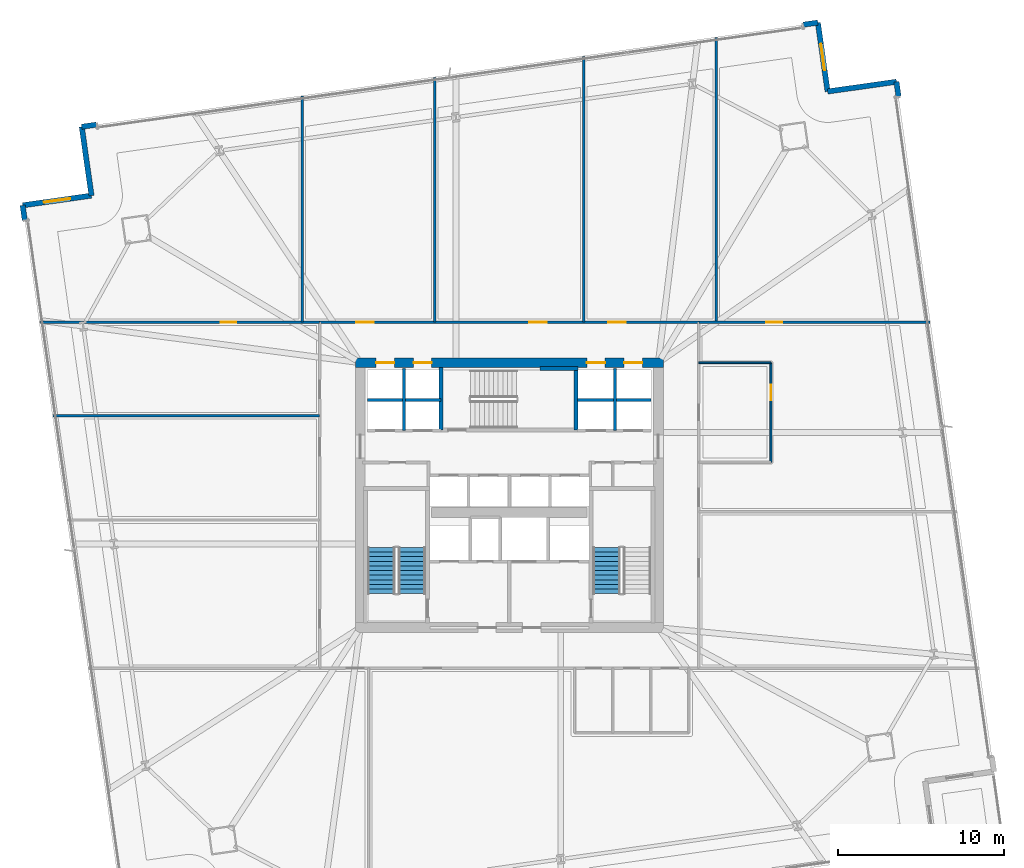
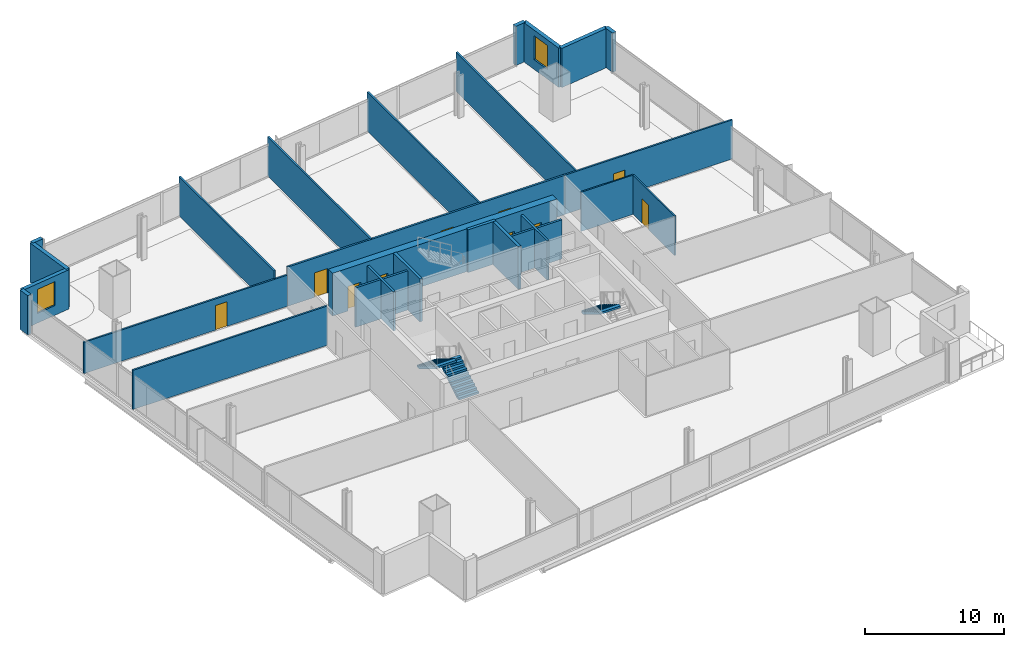
# One storey, part 27 of 33: 26 walls, 10 doors, 3 stair flights, 2 windows, 12 openings, 2 elements without a shape of their own.
"""IFC4 building model written with IfcOpenShell, lengths in metres."""

import ifcopenshell
import ifcopenshell.guid

model = None  # the IFC model being written
_history = None  # IfcOwnerHistory: only IFC2X3 demands one
_inside = {}  # id of a spatial element -> (the spatial element, [elements in it])
_under = {}  # id of a project, library or spatial element -> (it, [spatial elements below it])
_declared = {}  # id of a project -> (the project, [libraries it declares])
_typed = {}  # id of a type object -> (the type object, [elements of that type])
_made_of = {}  # id of a material, layer set ... -> (it, [elements and type objects made of it])


def new_model(schema):
    """Start an empty IFC model of exactly this schema.

    Asked for "IFC4X3", IfcOpenShell would pick the latest addendum, in which some entities
    have other attributes; the version numbers below select the first issue.
    IFC2X3 requires an IfcOwnerHistory on every rooted entity: one is made here for all.
    """
    global model, _history
    if schema == "IFC4X3":
        model = ifcopenshell.file(schema_version=(4, 3, 0, 0))
    else:
        model = ifcopenshell.file(schema=schema)
    _inside.clear()
    _under.clear()
    _declared.clear()
    _typed.clear()
    _made_of.clear()
    _history = None
    if model.schema == "IFC2X3":
        org = make("IfcOrganization", Name="unknown")
        user = make(
            "IfcPersonAndOrganization",
            ThePerson=make("IfcPerson", FamilyName="unknown"),
            TheOrganization=org,
        )
        app = make(
            "IfcApplication",
            ApplicationDeveloper=org,
            Version="unknown",
            ApplicationFullName="unknown",
            ApplicationIdentifier="unknown",
        )
        _history = make(
            "IfcOwnerHistory",
            OwningUser=user,
            OwningApplication=app,
            ChangeAction="ADDED",
            CreationDate=0,
        )
    return model


def make(cls, **values):
    """One entity of the class cls with the attributes given. An attribute that is None is left unset."""
    return model.create_entity(
        cls, **{name: value for name, value in values.items() if value is not None}
    )


def rooted(cls, **values):
    """An entity with a GlobalId (a new one), such as an element, a storey or a relation."""
    return make(cls, GlobalId=ifcopenshell.guid.new(), OwnerHistory=_history, **values)


def si_unit(unit_type, name, prefix=None):
    """IfcSIUnit, for example si_unit("LENGTHUNIT", "METRE", prefix="MILLI")."""
    return make("IfcSIUnit", UnitType=unit_type, Prefix=prefix, Name=name)


def assignment(units):
    """IfcUnitAssignment: the units of a project."""
    return None if units is None else make("IfcUnitAssignment", Units=units)


def point(xyz):
    """IfcCartesianPoint."""
    return None if xyz is None else make("IfcCartesianPoint", Coordinates=xyz)


def direction(xyz):
    """IfcDirection."""
    return None if xyz is None else make("IfcDirection", DirectionRatios=xyz)


def frame(location, z_axis=None, x_axis=None):
    """IfcAxis2Placement3D, a coordinate frame: its origin and axes. An axis left out is left unset."""
    return make(
        "IfcAxis2Placement3D",
        Location=point(location),
        Axis=direction(z_axis),
        RefDirection=direction(x_axis),
    )


def frame_2d(location, x_axis=None):
    """IfcAxis2Placement2D, a coordinate frame in the plane: its origin and x axis."""
    return make(
        "IfcAxis2Placement2D", Location=point(location), RefDirection=direction(x_axis)
    )


def origin():
    """The frame at (0, 0, 0) with its axes left unset."""
    return frame((0.0, 0.0, 0.0))


def place(relative_to, where):
    """IfcLocalPlacement: puts the frame where relative to a parent placement (None: the world)."""
    return make(
        "IfcLocalPlacement", PlacementRelTo=relative_to, RelativePlacement=where
    )


def context(
    kind, dimensions, precision=None, world=None, true_north=None, identifier=None
):
    """IfcGeometricRepresentationContext, for example the 3D "Model" context."""
    return make(
        "IfcGeometricRepresentationContext",
        ContextIdentifier=identifier,
        ContextType=kind,
        CoordinateSpaceDimension=dimensions,
        Precision=precision,
        WorldCoordinateSystem=world,
        TrueNorth=true_north,
    )


def subcontext(parent, identifier, kind, view, scale=None):
    """IfcGeometricRepresentationSubContext, for example "Body" below "Model"."""
    return make(
        "IfcGeometricRepresentationSubContext",
        ContextIdentifier=identifier,
        ContextType=kind,
        ParentContext=parent,
        TargetScale=scale,
        TargetView=view,
    )


def project(units=None, contexts=None):
    """IfcProject with its units and contexts."""
    return rooted(
        "IfcProject",
        Name="project",
        RepresentationContexts=contexts,
        UnitsInContext=assignment(units),
    )


def spatial(cls, under=None, at=None, **own):
    """A site, building, storey or space (cls), placed at a placement, below another one or the project."""
    s = rooted(cls, ObjectPlacement=at, **own)
    if under is not None:
        _under.setdefault(under.id(), (under, []))[1].append(s)
    return s


def polyline(points):
    """IfcPolyline through the points."""
    return make("IfcPolyline", Points=[point(p) for p in points])


def profile(cls, at=None, kind="AREA", **sizes):
    """A parametric profile (cls). Its sizes go by their IFC names, for example OverallWidth=200.0."""
    return make(cls, ProfileType=kind, Position=at, **sizes)


def rectangle(**sizes):
    """IfcRectangleProfileDef."""
    return profile("IfcRectangleProfileDef", **sizes)


def outline(outer, holes=None, kind="AREA"):
    """IfcArbitraryClosedProfileDef: a profile drawn as a closed curve; with holes, ...WithVoids."""
    if holes is None:
        return make("IfcArbitraryClosedProfileDef", ProfileType=kind, OuterCurve=outer)
    return make(
        "IfcArbitraryProfileDefWithVoids",
        ProfileType=kind,
        OuterCurve=outer,
        InnerCurves=holes,
    )


def extrude(swept, where, along, depth):
    """IfcExtrudedAreaSolid: the profile swept, set in the frame where, extruded along a direction by depth."""
    return make(
        "IfcExtrudedAreaSolid",
        SweptArea=swept,
        Position=where,
        ExtrudedDirection=direction(along),
        Depth=depth,
    )


def shape(context_of_items, identifier, shape_type, items):
    """IfcShapeRepresentation: the items that make up one representation, for example the "Body"."""
    return make(
        "IfcShapeRepresentation",
        ContextOfItems=context_of_items,
        RepresentationIdentifier=identifier,
        RepresentationType=shape_type,
        Items=items,
    )


def material(Name=None, Category=None):
    """IfcMaterial."""
    return make("IfcMaterial", Name=Name, Category=Category)


def layer(
    of_material, thickness, ventilated=None, Name=None, Category=None, Priority=None
):
    """IfcMaterialLayer: one layer of a wall or slab, of a material (None: an air gap)."""
    return make(
        "IfcMaterialLayer",
        Material=of_material,
        LayerThickness=thickness,
        IsVentilated=ventilated,
        Name=Name,
        Category=Category,
        Priority=Priority,
    )


def layer_set(layers, Name=None):
    """IfcMaterialLayerSet."""
    return make("IfcMaterialLayerSet", MaterialLayers=layers, LayerSetName=Name)


def made_of(thing, what):
    """Note that an element or type object is made of a material, layer set ...; save() writes the relation."""
    if what is not None:
        _made_of.setdefault(what.id(), (what, []))[1].append(thing)
    return thing


def type_object(cls, material=None, **own):
    """A type object (cls), such as IfcWallType, which elements share."""
    return made_of(rooted(cls, **own), material)


def element(
    cls,
    number,
    at=None,
    inside=None,
    cuts=None,
    type_object=None,
    material=None,
    context=None,
    identifier="Body",
    shape_type=None,
    held_by="IfcProductDefinitionShape",
    body=None,
    shapes=None,
    **own,
):
    """One element of the class cls, such as IfcWall. Its Tag is "e" and its number.

    at: its placement. inside: the storey or other place that contains it. cuts: it is an
    opening in that element (IfcRelVoidsElement). A single representation is given by context,
    identifier, shape_type and body (its items); several are given by shapes. held_by: the class
    of the entity that holds the representations. save() writes the other relations.
    """
    e = rooted(cls, Tag="e%d" % number, ObjectPlacement=at, **own)
    if body is not None:
        shapes = [shape(context, identifier, shape_type, body)]
    if shapes is not None:
        e.Representation = make(held_by, Representations=shapes)
    if inside is not None:
        _inside.setdefault(inside.id(), (inside, []))[1].append(e)
    if cuts is not None:
        rooted(
            "IfcRelVoidsElement", RelatingBuildingElement=cuts, RelatedOpeningElement=e
        )
    if type_object is not None:
        _typed.setdefault(type_object.id(), (type_object, []))[1].append(e)
    return made_of(e, material)


def fill(opening, filler):
    """IfcRelFillsElement: the door or window that sits in an opening."""
    return rooted(
        "IfcRelFillsElement",
        RelatingOpeningElement=opening,
        RelatedBuildingElement=filler,
    )


def aggregate(whole, parts):
    """IfcRelAggregates: a whole, such as a stair, and the parts it consists of."""
    return rooted("IfcRelAggregates", RelatingObject=whole, RelatedObjects=parts)


def save(model, path):
    """Write the relations noted so far, then the file.

    IfcRelAggregates (storeys below a building ...), IfcRelContainedInSpatialStructure (elements
    in a storey), IfcRelDefinesByType, IfcRelAssociatesMaterial and IfcRelDeclares: one each for
    every whole, place, type object, material and project.
    """
    for whole, parts in _under.values():
        aggregate(whole, parts)
    for where, things in _inside.values():
        rooted(
            "IfcRelContainedInSpatialStructure",
            RelatedElements=things,
            RelatingStructure=where,
        )
    for kind, things in _typed.values():
        rooted("IfcRelDefinesByType", RelatedObjects=things, RelatingType=kind)
    for what, things in _made_of.values():
        rooted("IfcRelAssociatesMaterial", RelatedObjects=things, RelatingMaterial=what)
    for by, libraries in _declared.values():
        rooted("IfcRelDeclares", RelatingContext=by, RelatedDefinitions=libraries)
    model.write(path)


model = new_model("IFC4")

# Units and contexts
model_context = context("Model", 3, precision=1e-05, world=origin(), true_north=direction((0.0, 1.0)))
body_context = subcontext(model_context, "Body", "Model", "MODEL_VIEW")
ifc_project = project(units=[si_unit("LENGTHUNIT", "METRE"), si_unit("AREAUNIT", "SQUARE_METRE"), si_unit("VOLUMEUNIT", "CUBIC_METRE"), si_unit("PLANEANGLEUNIT", "RADIAN"), si_unit("MASSUNIT", "GRAM", prefix="KILO")], contexts=[model_context])

# Site, building, storey
site_placement = place(None, origin())
site = spatial("IfcSite", under=ifc_project, at=site_placement, CompositionType="ELEMENT")
building_placement = place(site_placement, origin())
building = spatial("IfcBuilding", under=site, at=building_placement, Name="Haldenkirk Collegiate Tower", CompositionType="ELEMENT")
storey_placement = place(building_placement, frame((0.0, 0.0, 55.199951171875)))
storey = spatial("IfcBuildingStorey", under=building, at=storey_placement, Name="L12", CompositionType="ELEMENT", Elevation=55.199951171875)

# Wall, openings, doors
ifc_material_1 = material(Name="Concrete f'c 70 MPa", Category="concrete")
ifc_layer_1 = layer(ifc_material_1, 0.60009765625)
ifc_layer_set_1 = layer_set([ifc_layer_1], Name="Concrete f'c 70 MPa")
wall_type_1 = type_object("IfcWallType", Name="WL-CORE-600", PredefinedType="SHEAR", material=ifc_layer_set_1)
wall_1_placement = place(storey_placement, frame((26.699951171875, 34.0, 0.0), z_axis=(0.0, 0.0, 1.0), x_axis=(1.0, 0.0, 0.0)))
wall_1 = element("IfcWall", 1, at=wall_1_placement, inside=storey, type_object=wall_type_1, Name="L12 central core shear wall N", PredefinedType="SHEAR", context=body_context, shape_type="SweptSolid", body=[
    extrude(rectangle(XDim=18.60009765625, YDim=0.60009765625, at=frame_2d((9.300048828125, 0.0))), origin(), (0.0, 0.0, 1.0), 3.75),
])
opening_1_placement = place(wall_1_placement, frame((1.264892578125, 0.0, 0.0)))
opening_1 = element("IfcOpeningElement", 2, at=opening_1_placement, cuts=wall_1, Name="Opening LD-11", PredefinedType="OPENING", context=body_context, shape_type="SweptSolid", body=[
    extrude(rectangle(XDim=1.10009765625, YDim=2.14990234375, at=frame_2d((0.550048828125, 1.074951171875))), frame((0.0, 0.31005859375, 0.0), z_axis=(0.0, -1.0, 0.0), x_axis=(1.0, 0.0, 0.0)), (0.0, 0.0, 1.0), 0.6201171875),
])
opening_2_placement = place(wall_1_placement, frame((3.514892578125, 0.0, 0.0)))
opening_2 = element("IfcOpeningElement", 3, at=opening_2_placement, cuts=wall_1, Name="Opening LD-11", PredefinedType="OPENING", context=body_context, shape_type="SweptSolid", body=[
    extrude(rectangle(XDim=1.10009765625, YDim=2.14990234375, at=frame_2d((0.550048828125, 1.074951171875))), frame((0.0, 0.31005859375, 0.0), z_axis=(0.0, -1.0, 0.0), x_axis=(1.0, 0.0, 0.0)), (0.0, 0.0, 1.0), 0.6201171875),
])
opening_3_placement = place(wall_1_placement, frame((13.985107421875, 0.0, 0.0)))
opening_3 = element("IfcOpeningElement", 4, at=opening_3_placement, cuts=wall_1, Name="Opening LD-11", PredefinedType="OPENING", context=body_context, shape_type="SweptSolid", body=[
    extrude(rectangle(XDim=1.10009765625, YDim=2.14990234375, at=frame_2d((0.550048828125, 1.074951171875))), frame((0.0, 0.31005859375, 0.0), z_axis=(0.0, -1.0, 0.0), x_axis=(1.0, 0.0, 0.0)), (0.0, 0.0, 1.0), 0.6201171875),
])
opening_4_placement = place(wall_1_placement, frame((16.235107421875, 0.0, 0.0)))
opening_4 = element("IfcOpeningElement", 5, at=opening_4_placement, cuts=wall_1, Name="Opening LD-11", PredefinedType="OPENING", context=body_context, shape_type="SweptSolid", body=[
    extrude(rectangle(XDim=1.10009765625, YDim=2.14990234375, at=frame_2d((0.550048828125, 1.074951171875))), frame((0.0, 0.31005859375, 0.0), z_axis=(0.0, -1.0, 0.0), x_axis=(1.0, 0.0, 0.0)), (0.0, 0.0, 1.0), 0.6201171875),
])
ifc_material_2 = material(Name="Brushed architectural stainless steel", Category="steel")
ifc_layer_2 = layer(ifc_material_2, 0.06005859375)
ifc_layer_set_2 = layer_set([ifc_layer_2], Name="Brushed architectural stainless steel")
door_type_1 = type_object("IfcDoorType", Name="LD-PASS-1100", OperationType="NOTDEFINED", PredefinedType="DOOR", material=ifc_layer_set_2)
door_1_placement = place(opening_1_placement, origin())
door_1 = element("IfcDoor", 6, at=door_1_placement, inside=storey, type_object=door_type_1, Name="L12 Elevator PL3 sliding landing door", OperationType="SLIDING_TO_LEFT", OverallHeight=2.14990234375, OverallWidth=1.10009765625, PredefinedType="DOOR", context=body_context, shape_type="SweptSolid", body=[
    extrude(rectangle(XDim=1.10009765625, YDim=2.14990234375, at=frame_2d((0.550048828125, 1.074951171875))), frame((0.0, 0.02490234375, 0.0), z_axis=(0.0, -1.0, 0.0), x_axis=(1.0, 0.0, 0.0)), (0.0, 0.0, 1.0), 0.050048828125),
])
fill(opening_1, door_1)
door_2_placement = place(opening_2_placement, origin())
door_2 = element("IfcDoor", 7, at=door_2_placement, inside=storey, type_object=door_type_1, Name="L12 Elevator PL4 sliding landing door", OperationType="SLIDING_TO_LEFT", OverallHeight=2.14990234375, OverallWidth=1.10009765625, PredefinedType="DOOR", context=body_context, shape_type="SweptSolid", body=[
    extrude(rectangle(XDim=1.10009765625, YDim=2.14990234375, at=frame_2d((0.550048828125, 1.074951171875))), frame((0.0, 0.02490234375, 0.0), z_axis=(0.0, -1.0, 0.0), x_axis=(1.0, 0.0, 0.0)), (0.0, 0.0, 1.0), 0.050048828125),
])
fill(opening_2, door_2)
door_3_placement = place(opening_3_placement, origin())
door_3 = element("IfcDoor", 8, at=door_3_placement, inside=storey, type_object=door_type_1, Name="L12 Elevator PM3 sliding landing door", OperationType="SLIDING_TO_LEFT", OverallHeight=2.14990234375, OverallWidth=1.10009765625, PredefinedType="DOOR", context=body_context, shape_type="SweptSolid", body=[
    extrude(rectangle(XDim=1.10009765625, YDim=2.14990234375, at=frame_2d((0.550048828125, 1.074951171875))), frame((0.0, 0.02490234375, 0.0), z_axis=(0.0, -1.0, 0.0), x_axis=(1.0, 0.0, 0.0)), (0.0, 0.0, 1.0), 0.050048828125),
])
fill(opening_3, door_3)
door_4_placement = place(opening_4_placement, origin())
door_4 = element("IfcDoor", 9, at=door_4_placement, inside=storey, type_object=door_type_1, Name="L12 Elevator PM4 sliding landing door", OperationType="SLIDING_TO_LEFT", OverallHeight=2.14990234375, OverallWidth=1.10009765625, PredefinedType="DOOR", context=body_context, shape_type="SweptSolid", body=[
    extrude(rectangle(XDim=1.10009765625, YDim=2.14990234375, at=frame_2d((0.550048828125, 1.074951171875))), frame((0.0, 0.02490234375, 0.0), z_axis=(0.0, -1.0, 0.0), x_axis=(1.0, 0.0, 0.0)), (0.0, 0.0, 1.0), 0.050048828125),
])
fill(opening_4, door_4)

# Walls
ifc_material_3 = material(Name="Precast concrete f'c 40 MPa", Category="concrete")
ifc_layer_3 = layer(ifc_material_3, 0.320068359375)
ifc_layer_set_3 = layer_set([ifc_layer_3], Name="Precast concrete f'c 40 MPa")
wall_type_2 = type_object("IfcWallType", Name="WL-EXT-TWR-320", PredefinedType="STANDARD", material=ifc_layer_set_3)
wall_2_placement = place(storey_placement, frame((59.383544921875, 50.970703125, 0.0), z_axis=(0.0, 0.0, 1.0), x_axis=(0.139978021702, -0.990154610877, 0.0)))
element("IfcWall", 10, at=wall_2_placement, inside=storey, type_object=wall_type_2, Name="L12 precast corner pier EL", PredefinedType="STANDARD", context=body_context, shape_type="SweptSolid", body=[
    extrude(rectangle(XDim=0.89990234375, YDim=0.320068359375, at=frame_2d((0.449951171875, 0.0))), origin(), (0.0, 0.0, 1.0), 3.43994140625),
])
wall_3_placement = place(storey_placement, frame((55.22509765625, 50.382568359375, 0.0), z_axis=(0.0, 0.0, 1.0), x_axis=(0.990146172451, 0.140037699139, 0.0)))
element("IfcWall", 11, at=wall_3_placement, inside=storey, type_object=wall_type_2, Name="L12 bronze precast notch wall 05", PredefinedType="STANDARD", context=body_context, shape_type="SweptSolid", body=[
    extrude(rectangle(XDim=4.199951171875, YDim=0.320068359375, at=frame_2d((2.10009765625, 0.0))), origin(), (0.0, 0.0, 1.0), 3.43994140625),
])

# Wall, opening, window
wall_4_placement = place(storey_placement, frame((54.63671875, 54.541015625, 0.0), z_axis=(0.0, 0.0, 1.0), x_axis=(0.140094689511, -0.990138110554, 0.0)))
wall_4 = element("IfcWall", 12, at=wall_4_placement, inside=storey, type_object=wall_type_2, Name="L12 bronze precast notch wall 06", PredefinedType="STANDARD", context=body_context, shape_type="SweptSolid", body=[
    extrude(rectangle(XDim=4.199951171875, YDim=0.320068359375, at=frame_2d((2.10009765625, 0.0))), origin(), (0.0, 0.0, 1.0), 3.43994140625),
])
opening_5_placement = place(wall_4_placement, frame((1.300048828125, 0.0, 0.85009765625)))
opening_5 = element("IfcOpeningElement", 13, at=opening_5_placement, cuts=wall_4, Name="Opening W-03", PredefinedType="OPENING", context=body_context, shape_type="SweptSolid", body=[
    extrude(rectangle(XDim=1.60009765625, YDim=2.10009765625, at=frame_2d((0.800048828125, 1.050048828125))), frame((0.0, 0.169921875, 0.0), z_axis=(0.0, -1.0, 0.0), x_axis=(1.0, 0.0, 0.0)), (0.0, 0.0, 1.0), 0.340087890625),
])
ifc_material_4 = material(Name="Low-E argon triple insulating glass", Category="glass")
ifc_layer_4 = layer(ifc_material_4, 0.090087890625)
ifc_layer_set_4 = layer_set([ifc_layer_4], Name="Low-E argon triple insulating glass")
window_type = type_object("IfcWindowType", Name="WN-Z1-1600X2100", PartitioningType="SINGLE_PANEL", PredefinedType="WINDOW", material=ifc_layer_set_4)
window_1_placement = place(opening_5_placement, origin())
window_1 = element("IfcWindow", 14, at=window_1_placement, inside=storey, type_object=window_type, Name="L12 precast-frame academic window 5", OverallHeight=2.10009765625, OverallWidth=1.60009765625, PartitioningType="SINGLE_PANEL", PredefinedType="WINDOW", context=body_context, shape_type="SweptSolid", body=[
    extrude(rectangle(XDim=1.60009765625, YDim=2.10009765625, at=frame_2d((0.800048828125, 1.050048828125))), frame((0.0, 0.030029296875, 0.0), z_axis=(0.0, -1.0, 0.0), x_axis=(1.0, 0.0, 0.0)), (0.0, 0.0, 1.0), 0.06005859375),
])
fill(opening_5, window_1)

# Walls
for number, where, z_axis, x_axis, name in (
    (15, (10.17919921875, 48.25341796875, 0.0), (0.0, 0.0, 1.0), (0.990154610877, 0.139978021702, 0.0), "L12 precast corner pier NL"),
    (16, (53.74560546875, 54.4150390625, 0.0), (0.0, 0.0, 1.0), (0.990154610877, 0.139978021702, 0.0), "L12 precast corner pier NR"),
):
    element("IfcWall", number, at=place(storey_placement, frame(where, z_axis=z_axis, x_axis=x_axis)), inside=storey, type_object=wall_type_2, Name=name, PredefinedType="STANDARD", context=body_context, shape_type="SweptSolid", body=[
        extrude(rectangle(XDim=0.89990234375, YDim=0.320068359375, at=frame_2d((0.449951171875, 0.0))), origin(), (0.0, 0.0, 1.0), 3.43994140625),
    ])
wall_5_placement = place(storey_placement, frame((10.767333984375, 44.0947265625, 0.0), z_axis=(0.0, 0.0, 1.0), x_axis=(-0.140029639275, 0.990147312335, 0.0)))
element("IfcWall", 17, at=wall_5_placement, inside=storey, type_object=wall_type_2, Name="L12 bronze precast notch wall 08", PredefinedType="STANDARD", context=body_context, shape_type="SweptSolid", body=[
    extrude(rectangle(XDim=4.2001953125, YDim=0.320068359375, at=frame_2d((2.10009765625, 0.0))), origin(), (0.0, 0.0, 1.0), 3.43994140625),
])

# Wall, opening, window
wall_6_placement = place(storey_placement, frame((6.60888671875, 43.506591796875, 0.0), z_axis=(0.0, 0.0, 1.0), x_axis=(0.990146172451, 0.140037699139, 0.0)))
wall_6 = element("IfcWall", 18, at=wall_6_placement, inside=storey, type_object=wall_type_2, Name="L12 bronze precast notch wall 09", PredefinedType="STANDARD", context=body_context, shape_type="SweptSolid", body=[
    extrude(rectangle(XDim=4.199951171875, YDim=0.320068359375, at=frame_2d((2.10009765625, 0.0))), origin(), (0.0, 0.0, 1.0), 3.43994140625),
])
opening_6_placement = place(wall_6_placement, frame((1.300048828125, 0.0, 0.85009765625)))
opening_6 = element("IfcOpeningElement", 19, at=opening_6_placement, cuts=wall_6, Name="Opening W-03", PredefinedType="OPENING", context=body_context, shape_type="SweptSolid", body=[
    extrude(rectangle(XDim=1.60009765625, YDim=2.10009765625, at=frame_2d((0.800048828125, 1.050048828125))), frame((0.0, 0.169921875, 0.0), z_axis=(0.0, -1.0, 0.0), x_axis=(1.0, 0.0, 0.0)), (0.0, 0.0, 1.0), 0.340087890625),
])
window_2_placement = place(opening_6_placement, origin())
window_2 = element("IfcWindow", 20, at=window_2_placement, inside=storey, type_object=window_type, Name="L12 precast-frame academic window 8", OverallHeight=2.10009765625, OverallWidth=1.60009765625, PartitioningType="SINGLE_PANEL", PredefinedType="WINDOW", context=body_context, shape_type="SweptSolid", body=[
    extrude(rectangle(XDim=1.60009765625, YDim=2.10009765625, at=frame_2d((0.800048828125, 1.050048828125))), frame((0.0, 0.030029296875, 0.0), z_axis=(0.0, -1.0, 0.0), x_axis=(1.0, 0.0, 0.0)), (0.0, 0.0, 1.0), 0.06005859375),
])
fill(opening_6, window_2)

# Wall
wall_7_placement = place(storey_placement, frame((6.73486328125, 42.615478515625, 0.0), z_axis=(0.0, 0.0, 1.0), x_axis=(-0.139978021702, 0.990154610877, 0.0)))
element("IfcWall", 21, at=wall_7_placement, inside=storey, type_object=wall_type_2, Name="L12 precast corner pier WR", PredefinedType="STANDARD", context=body_context, shape_type="SweptSolid", body=[
    extrude(rectangle(XDim=0.89990234375, YDim=0.320068359375, at=frame_2d((0.449951171875, 0.0))), origin(), (0.0, 0.0, 1.0), 3.43994140625),
])

# Wall, openings, doors
ifc_material_5 = material(Name="Acoustic fire-rated gypsum partition", Category="concrete")
ifc_layer_5 = layer(ifc_material_5, 0.159912109375)
ifc_layer_set_5 = layer_set([ifc_layer_5], Name="Acoustic fire-rated gypsum partition")
wall_type_3 = type_object("IfcWallType", Name="WL-INT-CORR-160", PredefinedType="PARTITIONING", material=ifc_layer_set_5)
wall_8_placement = place(storey_placement, frame((24.5, 36.449951171875, 0.0), z_axis=(0.0, 0.0, 1.0), x_axis=(1.0, 0.0, 0.0)))
wall_8 = element("IfcWall", 22, at=wall_8_placement, inside=storey, type_object=wall_type_3, Name="L12 interior partition IW-L12-CN", PredefinedType="PARTITIONING", context=body_context, shape_type="SweptSolid", body=[
    extrude(rectangle(XDim=23.0, YDim=0.159912109375, at=frame_2d((11.5, 0.0))), origin(), (0.0, 0.0, 1.0), 3.43994140625),
])
opening_7_placement = place(wall_8_placement, frame((2.260986328125, 0.0, 0.0)))
opening_7 = element("IfcOpeningElement", 23, at=opening_7_placement, cuts=wall_8, Name="Opening D-09", PredefinedType="OPENING", context=body_context, shape_type="SweptSolid", body=[
    extrude(rectangle(XDim=1.050048828125, YDim=2.14990234375, at=frame_2d((0.52490234375, 1.074951171875))), frame((0.0, 0.08984375, 0.0), z_axis=(0.0, -1.0, 0.0), x_axis=(1.0, 0.0, 0.0)), (0.0, 0.0, 1.0), 0.179931640625),
])
opening_8_placement = place(wall_8_placement, frame((12.715087890625, 0.0, 0.0)))
opening_8 = element("IfcOpeningElement", 24, at=opening_8_placement, cuts=wall_8, Name="Opening D-09", PredefinedType="OPENING", context=body_context, shape_type="SweptSolid", body=[
    extrude(rectangle(XDim=1.050048828125, YDim=2.14990234375, at=frame_2d((0.52490234375, 1.074951171875))), frame((0.0, 0.08984375, 0.0), z_axis=(0.0, -1.0, 0.0), x_axis=(1.0, 0.0, 0.0)), (0.0, 0.0, 1.0), 0.179931640625),
])
opening_9_placement = place(wall_8_placement, frame((17.489013671875, 0.0, 0.0)))
opening_9 = element("IfcOpeningElement", 25, at=opening_9_placement, cuts=wall_8, Name="Opening D-09", PredefinedType="OPENING", context=body_context, shape_type="SweptSolid", body=[
    extrude(rectangle(XDim=1.050048828125, YDim=2.14990234375, at=frame_2d((0.52490234375, 1.074951171875))), frame((0.0, 0.08984375, 0.0), z_axis=(0.0, -1.0, 0.0), x_axis=(1.0, 0.0, 0.0)), (0.0, 0.0, 1.0), 0.179931640625),
])
ifc_material_6 = material(Name="Solid-core architectural oak fire door", Category="wood")
ifc_layer_6 = layer(ifc_material_6, 0.06005859375)
ifc_layer_set_6 = layer_set([ifc_layer_6], Name="Solid-core architectural oak fire door")
door_type_2 = type_object("IfcDoorType", Name="DR-INT-FD60-1050", OperationType="NOTDEFINED", PredefinedType="DOOR", material=ifc_layer_set_6)
door_5_placement = place(opening_7_placement, origin())
door_5 = element("IfcDoor", 26, at=door_5_placement, inside=storey, type_object=door_type_2, Name="L12 Material Specimen Store 4 door", OperationType="SINGLE_SWING_RIGHT", OverallHeight=2.14990234375, OverallWidth=1.050048828125, PredefinedType="DOOR", context=body_context, shape_type="SweptSolid", body=[
    extrude(rectangle(XDim=1.050048828125, YDim=2.14990234375, at=frame_2d((0.52490234375, 1.074951171875))), frame((0.0, 0.02490234375, 0.0), z_axis=(0.0, -1.0, 0.0), x_axis=(1.0, 0.0, 0.0)), (0.0, 0.0, 1.0), 0.050048828125),
])
fill(opening_7, door_5)
door_6_placement = place(opening_8_placement, origin())
door_6 = element("IfcDoor", 27, at=door_6_placement, inside=storey, type_object=door_type_2, Name="L12 Departmental Archive 5 door", OperationType="SINGLE_SWING_LEFT", OverallHeight=2.14990234375, OverallWidth=1.050048828125, PredefinedType="DOOR", context=body_context, shape_type="SweptSolid", body=[
    extrude(rectangle(XDim=1.050048828125, YDim=2.14990234375, at=frame_2d((0.52490234375, 1.074951171875))), frame((0.0, 0.02490234375, 0.0), z_axis=(0.0, -1.0, 0.0), x_axis=(1.0, 0.0, 0.0)), (0.0, 0.0, 1.0), 0.050048828125),
])
fill(opening_8, door_6)
door_7_placement = place(opening_9_placement, origin())
door_7 = element("IfcDoor", 28, at=door_7_placement, inside=storey, type_object=door_type_2, Name="L12 Cleanroom Prep Store 6 door", OperationType="SINGLE_SWING_RIGHT", OverallHeight=2.14990234375, OverallWidth=1.050048828125, PredefinedType="DOOR", context=body_context, shape_type="SweptSolid", body=[
    extrude(rectangle(XDim=1.050048828125, YDim=2.14990234375, at=frame_2d((0.52490234375, 1.074951171875))), frame((0.0, 0.02490234375, 0.0), z_axis=(0.0, -1.0, 0.0), x_axis=(1.0, 0.0, 0.0)), (0.0, 0.0, 1.0), 0.050048828125),
])
fill(opening_9, door_7)

# Wall, opening, door
ifc_layer_7 = layer(ifc_material_5, 0.139892578125)
ifc_layer_set_7 = layer_set([ifc_layer_7], Name="Acoustic fire-rated gypsum partition")
wall_type_4 = type_object("IfcWallType", Name="WL-INT-DIV-140", PredefinedType="PARTITIONING", material=ifc_layer_set_7)
wall_9_placement = place(storey_placement, frame((7.647216796875, 36.449951171875, 0.0), z_axis=(0.0, 0.0, 1.0), x_axis=(1.0, 0.0, 0.0)))
wall_9 = element("IfcWall", 29, at=wall_9_placement, inside=storey, type_object=wall_type_4, Name="L12 interior partition IW-L12-BWN", PredefinedType="PARTITIONING", context=body_context, shape_type="SweptSolid", body=[
    extrude(rectangle(XDim=16.90283203125, YDim=0.139892578125, at=frame_2d((8.451416015625, 0.0))), origin(), (0.0, 0.0, 1.0), 2.739013671875),
])
opening_10_placement = place(wall_9_placement, frame((10.921875, 0.0, 0.0)))
opening_10 = element("IfcOpeningElement", 30, at=opening_10_placement, cuts=wall_9, Name="Opening D-12", PredefinedType="OPENING", context=body_context, shape_type="SweptSolid", body=[
    extrude(rectangle(XDim=0.949951171875, YDim=2.14990234375, at=frame_2d((0.47509765625, 1.074951171875))), frame((0.0, 0.079833984375, 0.0), z_axis=(0.0, -1.0, 0.0), x_axis=(1.0, 0.0, 0.0)), (0.0, 0.0, 1.0), 0.159912109375),
])
ifc_layer_8 = layer(ifc_material_6, 0.06005859375)
ifc_layer_set_8 = layer_set([ifc_layer_8], Name="Solid-core architectural oak fire door")
door_type_3 = type_object("IfcDoorType", Name="DR-INT-STD-950", OperationType="NOTDEFINED", PredefinedType="DOOR", material=ifc_layer_set_8)
door_8_placement = place(opening_10_placement, origin())
door_8 = element("IfcDoor", 31, at=door_8_placement, inside=storey, type_object=door_type_3, Name="L12 Instrument Store Room 3 door", OperationType="SINGLE_SWING_LEFT", OverallHeight=2.14990234375, OverallWidth=0.949951171875, PredefinedType="DOOR", context=body_context, shape_type="SweptSolid", body=[
    extrude(rectangle(XDim=0.949951171875, YDim=2.14990234375, at=frame_2d((0.47509765625, 1.074951171875))), frame((0.0, 0.02490234375, 0.0), z_axis=(0.0, -1.0, 0.0), x_axis=(1.0, 0.0, 0.0)), (0.0, 0.0, 1.0), 0.050048828125),
])
fill(opening_10, door_8)

wall_10_placement = place(storey_placement, frame((47.449951171875, 36.449951171875, 0.0), z_axis=(0.0, 0.0, 1.0), x_axis=(1.0, 0.0, 0.0)))
wall_10 = element("IfcWall", 32, at=wall_10_placement, inside=storey, type_object=wall_type_4, Name="L12 interior partition IW-L12-BEN", PredefinedType="PARTITIONING", context=body_context, shape_type="SweptSolid", body=[
    extrude(rectangle(XDim=13.947021484375, YDim=0.139892578125, at=frame_2d((6.9736328125, 0.0))), origin(), (0.0, 0.0, 1.0), 3.43994140625),
])
opening_11_placement = place(wall_10_placement, frame((4.077880859375, 0.0, 0.0)))
opening_11 = element("IfcOpeningElement", 33, at=opening_11_placement, cuts=wall_10, Name="Opening D-12", PredefinedType="OPENING", context=body_context, shape_type="SweptSolid", body=[
    extrude(rectangle(XDim=0.949951171875, YDim=2.14990234375, at=frame_2d((0.47509765625, 1.074951171875))), frame((0.0, 0.079833984375, 0.0), z_axis=(0.0, -1.0, 0.0), x_axis=(1.0, 0.0, 0.0)), (0.0, 0.0, 1.0), 0.159912109375),
])
door_9_placement = place(opening_11_placement, origin())
door_9 = element("IfcDoor", 34, at=door_9_placement, inside=storey, type_object=door_type_3, Name="L12 Special Collections Archive 7 door", OperationType="SINGLE_SWING_LEFT", OverallHeight=2.14990234375, OverallWidth=0.949951171875, PredefinedType="DOOR", context=body_context, shape_type="SweptSolid", body=[
    extrude(rectangle(XDim=0.949951171875, YDim=2.14990234375, at=frame_2d((0.47509765625, 1.074951171875))), frame((0.0, 0.02490234375, 0.0), z_axis=(0.0, -1.0, 0.0), x_axis=(1.0, 0.0, 0.0)), (0.0, 0.0, 1.0), 0.050048828125),
])
fill(opening_11, door_9)

# Walls
wall_11_placement = place(storey_placement, frame((23.5, 36.449951171875, 0.0), z_axis=(0.0, 0.0, 1.0), x_axis=(0.0, 1.0, 0.0)))
element("IfcWall", 35, at=wall_11_placement, inside=storey, type_object=wall_type_4, Name="L12 interior partition IW-L12-RN1", PredefinedType="PARTITIONING", context=body_context, shape_type="SweptSolid", body=[
    extrude(rectangle(XDim=13.64697265625, YDim=0.139892578125, at=frame_2d((6.823486328125, 0.0))), origin(), (0.0, 0.0, 1.0), 3.43994140625),
])
wall_12_placement = place(storey_placement, frame((31.5, 36.449951171875, 0.0), z_axis=(0.0, 0.0, 1.0), x_axis=(0.0, 1.0, 0.0)))
element("IfcWall", 36, at=wall_12_placement, inside=storey, type_object=wall_type_4, Name="L12 interior partition IW-L12-RN2", PredefinedType="PARTITIONING", context=body_context, shape_type="SweptSolid", body=[
    extrude(rectangle(XDim=14.778564453125, YDim=0.139892578125, at=frame_2d((7.38916015625, 0.0))), origin(), (0.0, 0.0, 1.0), 3.43994140625),
])
wall_13_placement = place(storey_placement, frame((40.5, 36.449951171875, 0.0), z_axis=(0.0, 0.0, 1.0), x_axis=(0.0, 1.0, 0.0)))
element("IfcWall", 37, at=wall_13_placement, inside=storey, type_object=wall_type_4, Name="L12 interior partition IW-L12-RN3", PredefinedType="PARTITIONING", context=body_context, shape_type="SweptSolid", body=[
    extrude(rectangle(XDim=16.05126953125, YDim=0.139892578125, at=frame_2d((8.025634765625, 0.0))), origin(), (0.0, 0.0, 1.0), 3.43994140625),
])
wall_14_placement = place(storey_placement, frame((48.5, 36.449951171875, 0.0), z_axis=(0.0, 0.0, 1.0), x_axis=(0.0, 1.0, 0.0)))
element("IfcWall", 38, at=wall_14_placement, inside=storey, type_object=wall_type_4, Name="L12 interior partition IW-L12-RN4", PredefinedType="PARTITIONING", context=body_context, shape_type="SweptSolid", body=[
    extrude(rectangle(XDim=17.182861328125, YDim=0.139892578125, at=frame_2d((8.59130859375, 0.0))), origin(), (0.0, 0.0, 1.0), 3.43994140625),
])
wall_15_placement = place(storey_placement, frame((8.4462890625, 30.800048828125, 0.0), z_axis=(0.0, 0.0, 1.0), x_axis=(1.0, 0.0, 0.0)))
element("IfcWall", 39, at=wall_15_placement, inside=storey, type_object=wall_type_4, Name="L12 interior partition IW-L12-RW2", PredefinedType="PARTITIONING", context=body_context, shape_type="SweptSolid", body=[
    extrude(rectangle(XDim=16.103759765625, YDim=0.139892578125, at=frame_2d((8.0517578125, 0.0))), origin(), (0.0, 0.0, 1.0), 3.43994140625),
])
ifc_material_7 = material(Name="Fire-rated gypsum shaftboard assembly", Category="concrete")
ifc_layer_9 = layer(ifc_material_7, 0.179931640625)
ifc_layer_set_9 = layer_set([ifc_layer_9], Name="Fire-rated gypsum shaftboard assembly")
wall_type_5 = type_object("IfcWallType", Name="WL-INT-SHAFT-180", PredefinedType="PARTITIONING", material=ifc_layer_set_9)
wall_16_placement = place(storey_placement, frame((27.449951171875, 31.75, 0.0), z_axis=(0.0, 0.0, 1.0), x_axis=(1.0, 0.0, 0.0)))
element("IfcWall", 40, at=wall_16_placement, inside=storey, type_object=wall_type_5, Name="L12 interior partition IW-L12-PLM", PredefinedType="PARTITIONING", context=body_context, shape_type="SweptSolid", body=[
    extrude(rectangle(XDim=4.429931640625, YDim=0.179931640625, at=frame_2d((2.21484375, 0.0))), origin(), (0.0, 0.0, 1.0), 3.43994140625),
])
wall_17_placement = place(storey_placement, frame((29.6298828125, 29.89990234375, 0.0), z_axis=(0.0, 0.0, 1.0), x_axis=(0.0, 1.0, 0.0)))
element("IfcWall", 41, at=wall_17_placement, inside=storey, type_object=wall_type_5, Name="L12 interior partition IW-L12-PLV", PredefinedType="PARTITIONING", context=body_context, shape_type="SweptSolid", body=[
    extrude(rectangle(XDim=3.75, YDim=0.179931640625, at=frame_2d((1.875, 0.0))), origin(), (0.0, 0.0, 1.0), 3.43994140625),
])
wall_18_placement = place(storey_placement, frame((40.1201171875, 31.75, 0.0), z_axis=(0.0, 0.0, 1.0), x_axis=(1.0, 0.0, 0.0)))
element("IfcWall", 42, at=wall_18_placement, inside=storey, type_object=wall_type_5, Name="L12 interior partition IW-L12-PMM", PredefinedType="PARTITIONING", context=body_context, shape_type="SweptSolid", body=[
    extrude(rectangle(XDim=4.429931640625, YDim=0.179931640625, at=frame_2d((2.21484375, 0.0))), origin(), (0.0, 0.0, 1.0), 3.43994140625),
])
wall_19_placement = place(storey_placement, frame((42.3701171875, 29.89990234375, 0.0), z_axis=(0.0, 0.0, 1.0), x_axis=(0.0, 1.0, 0.0)))
element("IfcWall", 43, at=wall_19_placement, inside=storey, type_object=wall_type_5, Name="L12 interior partition IW-L12-PMV", PredefinedType="PARTITIONING", context=body_context, shape_type="SweptSolid", body=[
    extrude(rectangle(XDim=3.75, YDim=0.179931640625, at=frame_2d((1.875, 0.0))), origin(), (0.0, 0.0, 1.0), 3.43994140625),
])
ifc_layer_10 = layer(ifc_material_5, 0.1201171875)
ifc_layer_set_10 = layer_set([ifc_layer_10], Name="Acoustic fire-rated gypsum partition")
wall_type_6 = type_object("IfcWallType", Name="WL-INT-WET-120", PredefinedType="PARTITIONING", material=ifc_layer_set_10)
wall_20_placement = place(storey_placement, frame((47.449951171875, 34.0, 0.0), z_axis=(0.0, 0.0, 1.0), x_axis=(1.0, 0.0, 0.0)))
element("IfcWall", 44, at=wall_20_placement, inside=storey, type_object=wall_type_6, Name="L12 interior partition IW-L12-SUBEN", PredefinedType="PARTITIONING", context=body_context, shape_type="SweptSolid", body=[
    extrude(rectangle(XDim=4.35009765625, YDim=0.1201171875, at=frame_2d((2.175048828125, 0.0))), origin(), (0.0, 0.0, 1.0), 3.43994140625),
])

# Wall, opening, door
wall_21_placement = place(storey_placement, frame((51.800048828125, 28.0, 0.0), z_axis=(0.0, 0.0, 1.0), x_axis=(0.0, 1.0, 0.0)))
wall_21 = element("IfcWall", 45, at=wall_21_placement, inside=storey, type_object=wall_type_6, Name="L12 interior partition IW-L12-SUBE", PredefinedType="PARTITIONING", context=body_context, shape_type="SweptSolid", body=[
    extrude(rectangle(XDim=6.0, YDim=0.1201171875, at=frame_2d((3.0, 0.0))), origin(), (0.0, 0.0, 1.0), 3.43994140625),
])
opening_12_placement = place(wall_21_placement, frame((3.72509765625, 0.0, 0.0)))
opening_12 = element("IfcOpeningElement", 46, at=opening_12_placement, cuts=wall_21, Name="Opening D-12", PredefinedType="OPENING", context=body_context, shape_type="SweptSolid", body=[
    extrude(rectangle(XDim=0.949951171875, YDim=2.14990234375, at=frame_2d((0.47509765625, 1.074951171875))), frame((0.0, 0.070068359375, 0.0), z_axis=(0.0, -1.0, 0.0), x_axis=(1.0, 0.0, 0.0)), (0.0, 0.0, 1.0), 0.14013671875),
])
door_10_placement = place(opening_12_placement, origin())
door_10 = element("IfcDoor", 47, at=door_10_placement, inside=storey, type_object=door_type_3, Name="L12 East Graduate Study Pod suite door", OperationType="SINGLE_SWING_RIGHT", OverallHeight=2.14990234375, OverallWidth=0.949951171875, PredefinedType="DOOR", context=body_context, shape_type="SweptSolid", body=[
    extrude(rectangle(XDim=0.949951171875, YDim=2.14990234375, at=frame_2d((0.47509765625, 1.074951171875))), frame((0.0, 0.02490234375, 0.0), z_axis=(0.0, -1.0, 0.0), x_axis=(1.0, 0.0, 0.0)), (0.0, 0.0, 1.0), 0.050048828125),
])
fill(opening_12, door_10)

# Walls
ifc_material_8 = material(Name="Concrete f'c 55 MPa", Category="concrete")
ifc_layer_11 = layer(ifc_material_8, 0.239990234375)
ifc_layer_set_11 = layer_set([ifc_layer_11], Name="Concrete f'c 55 MPa")
wall_type_7 = type_object("IfcWallType", Name="WL-SHAFT-240", PredefinedType="SHEAR", material=ifc_layer_set_11)
wall_22_placement = place(storey_placement, frame((31.8798828125, 29.929931640625, 0.0), z_axis=(0.0, 0.0, 1.0), x_axis=(0.0, 1.0, 0.0)))
element("IfcWall", 48, at=wall_22_placement, inside=storey, type_object=wall_type_7, Name="L12 stair shaft shear wall SW-L12-ST3W", PredefinedType="SHEAR", context=body_context, shape_type="SweptSolid", body=[
    extrude(rectangle(XDim=3.7900390625, YDim=0.239990234375, at=frame_2d((1.89501953125, 0.0))), origin(), (0.0, 0.0, 1.0), 3.75),
])
wall_23_placement = place(storey_placement, frame((40.02001953125, 29.929931640625, 0.0), z_axis=(0.0, 0.0, 1.0), x_axis=(0.0, 1.0, 0.0)))
element("IfcWall", 49, at=wall_23_placement, inside=storey, type_object=wall_type_7, Name="L12 stair shaft shear wall SW-L12-ST3E", PredefinedType="SHEAR", context=body_context, shape_type="SweptSolid", body=[
    extrude(rectangle(XDim=3.85009765625, YDim=0.239990234375, at=frame_2d((1.925048828125, 0.0))), origin(), (0.0, 0.0, 1.0), 3.75),
])
wall_24_placement = place(storey_placement, frame((37.85009765625, 33.659912109375, 0.0), z_axis=(0.0, 0.0, 1.0), x_axis=(1.0, 0.0, 0.0)))
element("IfcWall", 50, at=wall_24_placement, inside=storey, type_object=wall_type_7, Name="L12 stair shaft shear wall SW-L12-ST3N", PredefinedType="SHEAR", context=body_context, shape_type="SweptSolid", body=[
    extrude(rectangle(XDim=2.289794921875, YDim=0.239990234375, at=frame_2d((1.14501953125, 0.0))), origin(), (0.0, 0.0, 1.0), 3.75),
])

# Stair, stair flights
ifc_material_9 = material(Name="Concrete f'c 40 MPa", Category="concrete")
stair_type = type_object("IfcStairType", Name="STR-DOGLEG-1650", PredefinedType="HALF_TURN_STAIR", material=ifc_material_9)
stair_1_placement = place(storey_placement, origin())
stair_1 = element("IfcStair", 51, at=stair_1_placement, inside=storey, type_object=stair_type, Name="L12 Core Exit Stair ST-1", PredefinedType="HALF_TURN_STAIR")
stair_flight_type = type_object("IfcStairFlightType", Name="STF-FLIGHT-1650", PredefinedType="STRAIGHT", material=ifc_material_9)
stair_flight_1_placement = place(storey_placement, frame((30.125, 20.050048828125, 0.0), z_axis=(0.0, 0.0, 1.0), x_axis=(0.0, 1.0, 0.0)))
stair_flight_1 = element("IfcStairFlight", 52, at=stair_flight_1_placement, type_object=stair_flight_type, Name="ST-1 flight 1", NumberOfRisers=11, NumberOfTreads=10, PredefinedType="STRAIGHT", RiserHeight=0.170454545, TreadLength=0.28, context=body_context, shape_type="SweptSolid", body=[
    extrude(outline(polyline([(0.0, 0.0), (0.0, 0.17041015625), (0.280029296875, 0.17041015625), (0.280029296875, 0.3408203125), (0.56005859375, 0.3408203125), (0.56005859375, 0.511474609375), (0.840087890625, 0.511474609375), (0.840087890625, 0.681884765625), (1.1201171875, 0.681884765625), (1.1201171875, 0.852294921875), (1.39990234375, 0.852294921875), (1.39990234375, 1.022705078125), (1.679931640625, 1.022705078125), (1.679931640625, 1.193115234375), (1.9599609375, 1.193115234375), (1.9599609375, 1.363525390625), (2.239990234375, 1.363525390625), (2.239990234375, 1.5341796875), (2.52001953125, 1.5341796875), (2.52001953125, 1.70458984375), (2.800048828125, 1.70458984375), (2.800048828125, 1.875), (2.800048828125, 1.529052734375), (0.288330078125, 0.0), (0.0, 0.0)])), frame((0.0, 0.824951171875, 0.0), z_axis=(0.0, -1.0, 0.0), x_axis=(1.0, 0.0, 0.0)), (0.0, 0.0, 1.0), 1.64990234375),
])
stair_flight_2_placement = place(storey_placement, frame((28.27490234375, 22.85009765625, 1.875), z_axis=(0.0, 0.0, 1.0), x_axis=(0.0, -1.0, 0.0)))
stair_flight_2 = element("IfcStairFlight", 53, at=stair_flight_2_placement, type_object=stair_flight_type, Name="ST-1 flight 2", NumberOfRisers=11, NumberOfTreads=10, PredefinedType="STRAIGHT", RiserHeight=0.170454545, TreadLength=0.28, context=body_context, shape_type="SweptSolid", body=[
    extrude(outline(polyline([(0.0, 0.0), (0.0, 0.17041015625), (0.280029296875, 0.17041015625), (0.280029296875, 0.3408203125), (0.56005859375, 0.3408203125), (0.56005859375, 0.511474609375), (0.840087890625, 0.511474609375), (0.840087890625, 0.681884765625), (1.1201171875, 0.681884765625), (1.1201171875, 0.852294921875), (1.39990234375, 0.852294921875), (1.39990234375, 1.022705078125), (1.679931640625, 1.022705078125), (1.679931640625, 1.193115234375), (1.9599609375, 1.193115234375), (1.9599609375, 1.363525390625), (2.239990234375, 1.363525390625), (2.239990234375, 1.5341796875), (2.52001953125, 1.5341796875), (2.52001953125, 1.70458984375), (2.800048828125, 1.70458984375), (2.800048828125, 1.875), (2.800048828125, 1.529052734375), (0.288330078125, 0.0), (0.0, 0.0)])), frame((0.0, 0.824951171875, 0.0), z_axis=(0.0, -1.0, 0.0), x_axis=(1.0, 0.0, 0.0)), (0.0, 0.0, 1.0), 1.64990234375),
])
aggregate(stair_1, [stair_flight_1, stair_flight_2])

# Stair, stair flight
stair_2_placement = place(storey_placement, origin())
stair_2 = element("IfcStair", 54, at=stair_2_placement, inside=storey, type_object=stair_type, Name="L12 Core Exit Stair ST-2", PredefinedType="HALF_TURN_STAIR")
stair_flight_3_placement = place(storey_placement, frame((41.875, 22.85009765625, 1.875), z_axis=(0.0, 0.0, 1.0), x_axis=(0.0, -1.0, 0.0)))
stair_flight_3 = element("IfcStairFlight", 55, at=stair_flight_3_placement, type_object=stair_flight_type, Name="ST-2 flight 2", NumberOfRisers=11, NumberOfTreads=10, PredefinedType="STRAIGHT", RiserHeight=0.170454545, TreadLength=0.28, context=body_context, shape_type="SweptSolid", body=[
    extrude(outline(polyline([(0.0, 0.0), (0.0, 0.17041015625), (0.280029296875, 0.17041015625), (0.280029296875, 0.3408203125), (0.56005859375, 0.3408203125), (0.56005859375, 0.511474609375), (0.840087890625, 0.511474609375), (0.840087890625, 0.681884765625), (1.1201171875, 0.681884765625), (1.1201171875, 0.852294921875), (1.39990234375, 0.852294921875), (1.39990234375, 1.022705078125), (1.679931640625, 1.022705078125), (1.679931640625, 1.193115234375), (1.9599609375, 1.193115234375), (1.9599609375, 1.363525390625), (2.239990234375, 1.363525390625), (2.239990234375, 1.5341796875), (2.52001953125, 1.5341796875), (2.52001953125, 1.70458984375), (2.800048828125, 1.70458984375), (2.800048828125, 1.875), (2.800048828125, 1.529052734375), (0.288330078125, 0.0), (0.0, 0.0)])), frame((0.0, 0.824951171875, 0.0), z_axis=(0.0, -1.0, 0.0), x_axis=(1.0, 0.0, 0.0)), (0.0, 0.0, 1.0), 1.64990234375),
])
aggregate(stair_2, [stair_flight_3])

save(model, "model.ifc")
